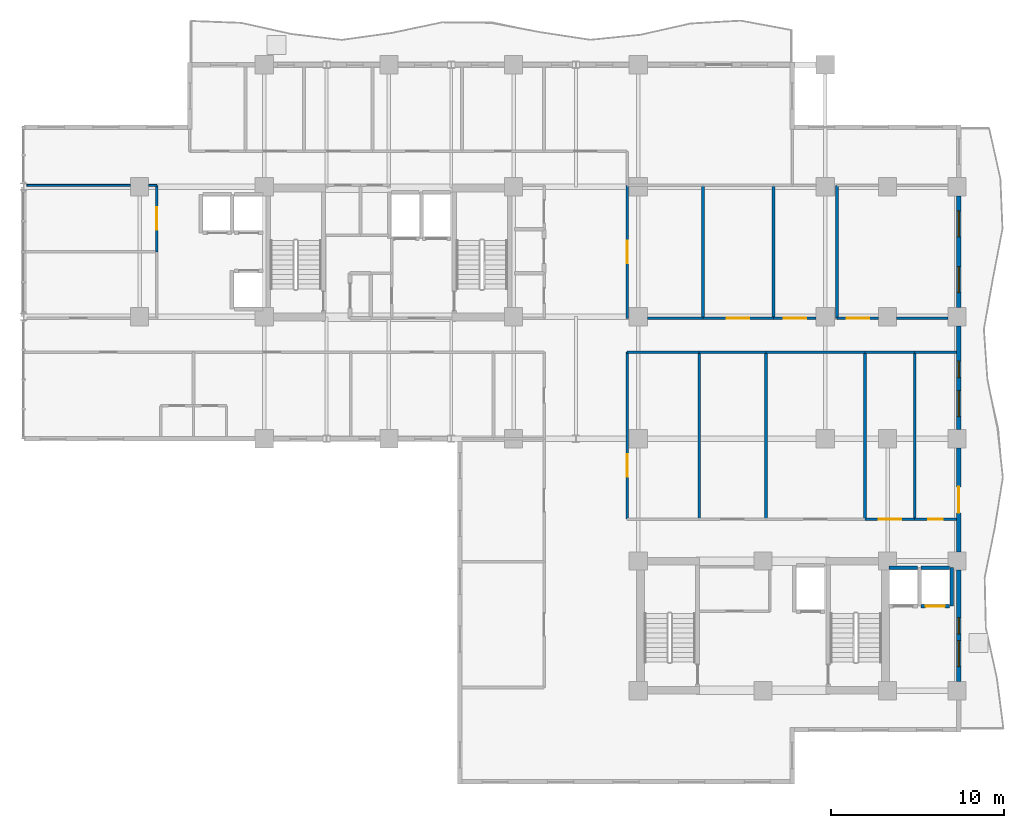
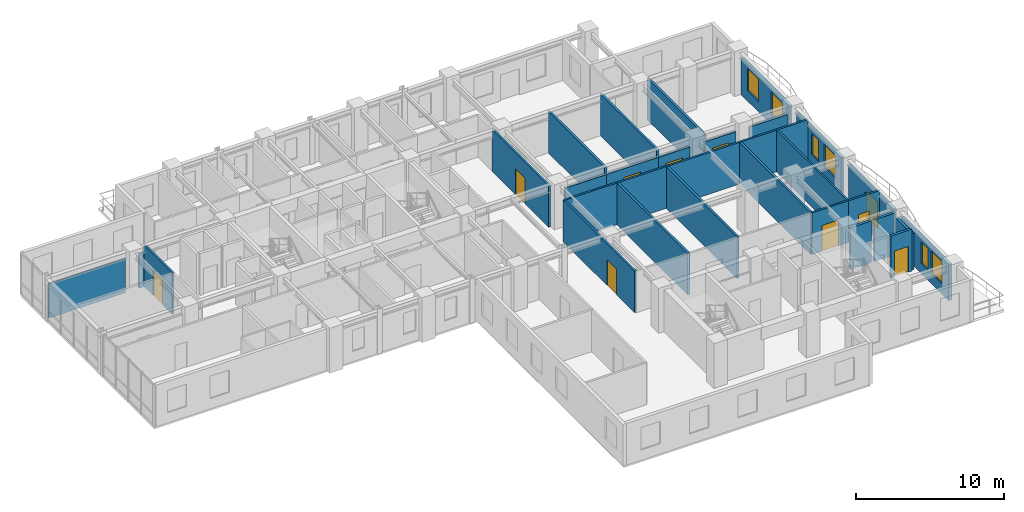
# One storey, part 12 of 18: 32 walls, 10 doors, 6 windows, 16 openings.
"""IFC4 building model written with IfcOpenShell, lengths in metres."""

from ifc_helpers import new_model, si_unit, direction, frame, frame_2d, origin, place, context, subcontext, project, spatial, rectangle, extrude, material, layer, layer_set, type_object, element, fill, save


model = new_model("IFC4")

# Units and contexts
model_context = context("Model", 3, precision=1e-05, world=origin(), true_north=direction((0.0, 1.0)))
body_context = subcontext(model_context, "Body", "Model", "MODEL_VIEW")
ifc_project = project(units=[si_unit("LENGTHUNIT", "METRE"), si_unit("AREAUNIT", "SQUARE_METRE"), si_unit("VOLUMEUNIT", "CUBIC_METRE"), si_unit("PLANEANGLEUNIT", "RADIAN"), si_unit("MASSUNIT", "GRAM", prefix="KILO")], contexts=[model_context])

# Site, building, storey
site_placement = place(None, origin())
site = spatial("IfcSite", under=ifc_project, at=site_placement, CompositionType="ELEMENT")
building_placement = place(site_placement, origin())
building = spatial("IfcBuilding", under=site, at=building_placement, Name="Kaliganga Portal Commons", CompositionType="ELEMENT")
storey_placement = place(building_placement, frame((0.0, 0.0, 169.800048828125)))
storey = spatial("IfcBuildingStorey", under=building, at=storey_placement, Name="L43", CompositionType="ELEMENT", Elevation=169.800048828125)

# Wall, openings, windows
ifc_material_1 = material(Name="Insulated Aluminium-Clad Spandrel Assembly", Category="aluminium")
ifc_layer_1 = layer(ifc_material_1, 0.260009765625)
ifc_layer_set_1 = layer_set([ifc_layer_1], Name="Insulated Aluminium-Clad Spandrel Assembly")
wall_type_1 = type_object("IfcWallType", Name="WL-EXT-SPAND-260", PredefinedType="STANDARD", material=ifc_layer_set_1)
wall_1_placement = place(storey_placement, frame((54.5, 14.02392578125, 0.0), z_axis=(0.0, 0.0, 1.0), x_axis=(0.0, -1.0, 0.0)))
wall_1 = element("IfcWall", 1, at=wall_1_placement, inside=storey, type_object=wall_type_1, Name="Exterior Envelope Wall L43 P1-E03-S2", PredefinedType="STANDARD", context=body_context, shape_type="SweptSolid", body=[
    extrude(rectangle(XDim=6.447998046875, YDim=0.260009765625, at=frame_2d((3.22412109375, 0.0))), origin(), (0.0, 0.0, 1.0), 2.989990234375),
])
opening_1_placement = place(wall_1_placement, frame((4.0859375, 0.0, 0.85009765625)))
opening_1 = element("IfcOpeningElement", 2, at=opening_1_placement, cuts=wall_1, Name="Opening W-02", PredefinedType="OPENING", context=body_context, shape_type="SweptSolid", body=[
    extrude(rectangle(XDim=1.5, YDim=1.85009765625, at=frame_2d((0.75, 0.925048828125))), frame((0.0, 0.14013671875, 0.0), z_axis=(0.0, -1.0, 0.0), x_axis=(1.0, 0.0, 0.0)), (0.0, 0.0, 1.0), 0.280029296875),
])
opening_2_placement = place(wall_1_placement, frame((2.7490234375, 0.0, 0.85009765625)))
opening_2 = element("IfcOpeningElement", 3, at=opening_2_placement, cuts=wall_1, Name="Opening W-04", PredefinedType="OPENING", context=body_context, shape_type="SweptSolid", body=[
    extrude(rectangle(XDim=0.949951171875, YDim=1.75, at=frame_2d((0.47509765625, 0.875))), frame((0.0, 0.14013671875, 0.0), z_axis=(0.0, -1.0, 0.0), x_axis=(1.0, 0.0, 0.0)), (0.0, 0.0, 1.0), 0.280029296875),
])
ifc_material_2 = material(Name="Thermally Broken Aluminium and Low-E Double Glazing", Category="aluminium")
window_type_1 = type_object("IfcWindowType", Name="WIN-NARROW-950", PartitioningType="SINGLE_PANEL", PredefinedType="WINDOW", material=ifc_material_2)
window_1_placement = place(opening_2_placement, origin())
window_1 = element("IfcWindow", 4, at=window_1_placement, inside=storey, type_object=window_type_1, Name="Facade Window L43-P1E03S2-N0", OverallHeight=1.75, OverallWidth=0.949951171875, PartitioningType="SINGLE_PANEL", PredefinedType="WINDOW", context=body_context, shape_type="SweptSolid", body=[
    extrude(rectangle(XDim=0.949951171875, YDim=1.75, at=frame_2d((0.47509765625, 0.875))), frame((0.0, 0.030029296875, 0.0), z_axis=(0.0, -1.0, 0.0), x_axis=(1.0, 0.0, 0.0)), (0.0, 0.0, 1.0), 0.06005859375),
])
fill(opening_2, window_1)
window_type_2 = type_object("IfcWindowType", Name="WIN-STD-1500", PartitioningType="DOUBLE_PANEL_VERTICAL", PredefinedType="WINDOW", material=ifc_material_2)
window_2_placement = place(opening_1_placement, origin())
window_2 = element("IfcWindow", 5, at=window_2_placement, inside=storey, type_object=window_type_2, Name="Facade Window L43-P1E03S2-01", OverallHeight=1.85009765625, OverallWidth=1.5, PartitioningType="SINGLE_PANEL", PredefinedType="WINDOW", context=body_context, shape_type="SweptSolid", body=[
    extrude(rectangle(XDim=1.5, YDim=1.85009765625, at=frame_2d((0.75, 0.925048828125))), frame((0.0, 0.030029296875, 0.0), z_axis=(0.0, -1.0, 0.0), x_axis=(1.0, 0.0, 0.0)), (0.0, 0.0, 1.0), 0.06005859375),
])
fill(opening_1, window_2)

# Wall, opening, door
wall_2_placement = place(storey_placement, frame((54.5, 21.073974609375, 0.0), z_axis=(0.0, 0.0, 1.0), x_axis=(0.0, -1.0, 0.0)))
wall_2 = element("IfcWall", 6, at=wall_2_placement, inside=storey, type_object=wall_type_1, Name="Exterior Envelope Wall L43 P1-E03-S3", PredefinedType="STANDARD", context=body_context, shape_type="SweptSolid", body=[
    extrude(rectangle(XDim=5.998046875, YDim=0.260009765625, at=frame_2d((2.9990234375, 0.0))), origin(), (0.0, 0.0, 1.0), 2.989990234375),
])
opening_3_placement = place(wall_2_placement, frame((2.2490234375, 0.0, 0.0)))
opening_3 = element("IfcOpeningElement", 7, at=opening_3_placement, cuts=wall_2, Name="Opening BD-01", PredefinedType="OPENING", context=body_context, shape_type="SweptSolid", body=[
    extrude(rectangle(XDim=1.5, YDim=2.14990234375, at=frame_2d((0.75, 1.074951171875))), frame((0.0, 0.14013671875, 0.0), z_axis=(0.0, -1.0, 0.0), x_axis=(1.0, 0.0, 0.0)), (0.0, 0.0, 1.0), 0.280029296875),
])
ifc_material_3 = material(Name="Anodized Aluminium and Laminated Safety Glass", Category="aluminium")
door_type_1 = type_object("IfcDoorType", Name="DR-BALC-1500", OperationType="SLIDING_TO_LEFT", PredefinedType="DOOR", material=ifc_material_3)
door_1_placement = place(opening_3_placement, origin())
door_1 = element("IfcDoor", 8, at=door_1_placement, inside=storey, type_object=door_type_1, Name="Balcony Sliding Door L43 balc_east", OperationType="SLIDING_TO_LEFT", OverallHeight=2.14990234375, OverallWidth=1.5, PredefinedType="DOOR", context=body_context, shape_type="SweptSolid", body=[
    extrude(rectangle(XDim=1.5, YDim=2.14990234375, at=frame_2d((0.75, 1.074951171875))), frame((0.0, 0.02490234375, 0.0), z_axis=(0.0, -1.0, 0.0), x_axis=(1.0, 0.0, 0.0)), (0.0, 0.0, 1.0), 0.050048828125),
])
fill(opening_3, door_1)

# Wall, openings, windows
wall_3_placement = place(storey_placement, frame((54.5, 28.1240234375, 0.0), z_axis=(0.0, 0.0, 1.0), x_axis=(0.0, -1.0, 0.0)))
wall_3 = element("IfcWall", 9, at=wall_3_placement, inside=storey, type_object=wall_type_1, Name="Exterior Envelope Wall L43 P1-E03-S4", PredefinedType="STANDARD", context=body_context, shape_type="SweptSolid", body=[
    extrude(rectangle(XDim=5.998046875, YDim=0.260009765625, at=frame_2d((2.9990234375, 0.0))), origin(), (0.0, 0.0, 1.0), 2.989990234375),
])
opening_4_placement = place(wall_3_placement, frame((3.74853515625, 0.0, 0.85009765625)))
opening_4 = element("IfcOpeningElement", 10, at=opening_4_placement, cuts=wall_3, Name="Opening W-02", PredefinedType="OPENING", context=body_context, shape_type="SweptSolid", body=[
    extrude(rectangle(XDim=1.5, YDim=1.85009765625, at=frame_2d((0.75, 0.925048828125))), frame((0.0, 0.14013671875, 0.0), z_axis=(0.0, -1.0, 0.0), x_axis=(1.0, 0.0, 0.0)), (0.0, 0.0, 1.0), 0.280029296875),
])
opening_5_placement = place(wall_3_placement, frame((2.044189453125, 0.0, 0.85009765625)))
opening_5 = element("IfcOpeningElement", 11, at=opening_5_placement, cuts=wall_3, Name="Opening W-04", PredefinedType="OPENING", context=body_context, shape_type="SweptSolid", body=[
    extrude(rectangle(XDim=0.949951171875, YDim=1.75, at=frame_2d((0.47509765625, 0.875))), frame((0.0, 0.14013671875, 0.0), z_axis=(0.0, -1.0, 0.0), x_axis=(1.0, 0.0, 0.0)), (0.0, 0.0, 1.0), 0.280029296875),
])
window_3_placement = place(opening_5_placement, origin())
window_3 = element("IfcWindow", 12, at=window_3_placement, inside=storey, type_object=window_type_1, Name="Facade Window L43-P1E03S4-N5", OverallHeight=1.75, OverallWidth=0.949951171875, PartitioningType="SINGLE_PANEL", PredefinedType="WINDOW", context=body_context, shape_type="SweptSolid", body=[
    extrude(rectangle(XDim=0.949951171875, YDim=1.75, at=frame_2d((0.47509765625, 0.875))), frame((0.0, 0.030029296875, 0.0), z_axis=(0.0, -1.0, 0.0), x_axis=(1.0, 0.0, 0.0)), (0.0, 0.0, 1.0), 0.06005859375),
])
fill(opening_5, window_3)
window_4_placement = place(opening_4_placement, origin())
window_4 = element("IfcWindow", 13, at=window_4_placement, inside=storey, type_object=window_type_2, Name="Facade Window L43-P1E03S4-01", OverallHeight=1.85009765625, OverallWidth=1.5, PartitioningType="SINGLE_PANEL", PredefinedType="WINDOW", context=body_context, shape_type="SweptSolid", body=[
    extrude(rectangle(XDim=1.5, YDim=1.85009765625, at=frame_2d((0.75, 0.925048828125))), frame((0.0, 0.030029296875, 0.0), z_axis=(0.0, -1.0, 0.0), x_axis=(1.0, 0.0, 0.0)), (0.0, 0.0, 1.0), 0.06005859375),
])
fill(opening_4, window_4)

wall_4_placement = place(storey_placement, frame((54.5, 35.6240234375, 0.0), z_axis=(0.0, 0.0, 1.0), x_axis=(0.0, -1.0, 0.0)))
wall_4 = element("IfcWall", 14, at=wall_4_placement, inside=storey, type_object=wall_type_1, Name="Exterior Envelope Wall L43 P1-E03-S5", PredefinedType="STANDARD", context=body_context, shape_type="SweptSolid", body=[
    extrude(rectangle(XDim=6.447998046875, YDim=0.260009765625, at=frame_2d((3.22412109375, 0.0))), origin(), (0.0, 0.0, 1.0), 2.989990234375),
])
opening_6_placement = place(wall_4_placement, frame((0.862060546875, 0.0, 0.85009765625)))
opening_6 = element("IfcOpeningElement", 15, at=opening_6_placement, cuts=wall_4, Name="Opening W-02", PredefinedType="OPENING", context=body_context, shape_type="SweptSolid", body=[
    extrude(rectangle(XDim=1.5, YDim=1.85009765625, at=frame_2d((0.75, 0.925048828125))), frame((0.0, 0.14013671875, 0.0), z_axis=(0.0, -1.0, 0.0), x_axis=(1.0, 0.0, 0.0)), (0.0, 0.0, 1.0), 0.280029296875),
])
opening_7_placement = place(wall_4_placement, frame((4.0859375, 0.0, 0.85009765625)))
opening_7 = element("IfcOpeningElement", 16, at=opening_7_placement, cuts=wall_4, Name="Opening W-02", PredefinedType="OPENING", context=body_context, shape_type="SweptSolid", body=[
    extrude(rectangle(XDim=1.5, YDim=1.85009765625, at=frame_2d((0.75, 0.925048828125))), frame((0.0, 0.14013671875, 0.0), z_axis=(0.0, -1.0, 0.0), x_axis=(1.0, 0.0, 0.0)), (0.0, 0.0, 1.0), 0.280029296875),
])
window_5_placement = place(opening_6_placement, origin())
window_5 = element("IfcWindow", 17, at=window_5_placement, inside=storey, type_object=window_type_2, Name="Facade Window L43-P1E03S5-00", OverallHeight=1.85009765625, OverallWidth=1.5, PartitioningType="SINGLE_PANEL", PredefinedType="WINDOW", context=body_context, shape_type="SweptSolid", body=[
    extrude(rectangle(XDim=1.5, YDim=1.85009765625, at=frame_2d((0.75, 0.925048828125))), frame((0.0, 0.030029296875, 0.0), z_axis=(0.0, -1.0, 0.0), x_axis=(1.0, 0.0, 0.0)), (0.0, 0.0, 1.0), 0.06005859375),
])
fill(opening_6, window_5)
window_6_placement = place(opening_7_placement, origin())
window_6 = element("IfcWindow", 18, at=window_6_placement, inside=storey, type_object=window_type_2, Name="Facade Window L43-P1E03S5-01", OverallHeight=1.85009765625, OverallWidth=1.5, PartitioningType="SINGLE_PANEL", PredefinedType="WINDOW", context=body_context, shape_type="SweptSolid", body=[
    extrude(rectangle(XDim=1.5, YDim=1.85009765625, at=frame_2d((0.75, 0.925048828125))), frame((0.0, 0.030029296875, 0.0), z_axis=(0.0, -1.0, 0.0), x_axis=(1.0, 0.0, 0.0)), (0.0, 0.0, 1.0), 0.06005859375),
])
fill(opening_7, window_6)

# Wall, opening, door
ifc_material_4 = material(Name="Fire-Rated Gypsum Board on Steel Stud", Category="steel")
ifc_layer_2 = layer(ifc_material_4, 0.14990234375)
ifc_layer_set_2 = layer_set([ifc_layer_2], Name="Fire-Rated Gypsum Board on Steel Stud")
wall_type_2 = type_object("IfcWallType", Name="WL-PART-CORR-150", PredefinedType="PARTITIONING", material=ifc_layer_set_2)
wall_5_placement = place(storey_placement, frame((35.360107421875, 16.9599609375, 0.0), z_axis=(0.0, 0.0, 1.0), x_axis=(0.0, 1.0, 0.0)))
wall_5 = element("IfcWall", 19, at=wall_5_placement, inside=storey, type_object=wall_type_2, Name="Interior Partition L43-007", PredefinedType="PARTITIONING", context=body_context, shape_type="SweptSolid", body=[
    extrude(rectangle(XDim=9.64013671875, YDim=0.14990234375, at=frame_2d((4.820068359375, 0.0))), origin(), (0.0, 0.0, 1.0), 3.43994140625),
])
opening_8_placement = place(wall_5_placement, frame((2.434814453125, 0.0, 0.0)))
opening_8 = element("IfcOpeningElement", 20, at=opening_8_placement, cuts=wall_5, Name="Opening RD-03", PredefinedType="OPENING", context=body_context, shape_type="SweptSolid", body=[
    extrude(rectangle(XDim=1.300048828125, YDim=2.1201171875, at=frame_2d((0.64990234375, 1.06005859375))), frame((0.0, 0.0849609375, 0.0), z_axis=(0.0, -1.0, 0.0), x_axis=(1.0, 0.0, 0.0)), (0.0, 0.0, 1.0), 0.169921875),
])
ifc_material_5 = material(Name="Glazed Timber Seminar Vision Door", Category="wood")
door_type_2 = type_object("IfcDoorType", Name="DR-STUDY-1300", OperationType="DOUBLE_DOOR_SINGLE_SWING", PredefinedType="DOOR", material=ifc_material_5)
door_2_placement = place(opening_8_placement, origin())
door_2 = element("IfcDoor", 21, at=door_2_placement, inside=storey, type_object=door_type_2, Name="Interior Door L43-BM01", OperationType="DOUBLE_DOOR_SINGLE_SWING", OverallHeight=2.1201171875, OverallWidth=1.300048828125, PredefinedType="DOOR", context=body_context, shape_type="SweptSolid", body=[
    extrude(rectangle(XDim=1.300048828125, YDim=2.1201171875, at=frame_2d((0.64990234375, 1.06005859375))), frame((0.0, 0.02490234375, 0.0), z_axis=(0.0, -1.0, 0.0), x_axis=(1.0, 0.0, 0.0)), (0.0, 0.0, 1.0), 0.050048828125),
])
fill(opening_8, door_2)

wall_6_placement = place(storey_placement, frame((35.360107421875, 28.56005859375, 0.0), z_axis=(0.0, 0.0, 1.0), x_axis=(0.0, 1.0, 0.0)))
wall_6 = element("IfcWall", 22, at=wall_6_placement, inside=storey, type_object=wall_type_2, Name="Interior Partition L43-012", PredefinedType="PARTITIONING", context=body_context, shape_type="SweptSolid", body=[
    extrude(rectangle(XDim=7.679931640625, YDim=0.14990234375, at=frame_2d((3.83984375, 0.0))), origin(), (0.0, 0.0, 1.0), 3.43994140625),
])
opening_9_placement = place(wall_6_placement, frame((3.18994140625, 0.0, 0.0)))
opening_9 = element("IfcOpeningElement", 23, at=opening_9_placement, cuts=wall_6, Name="Opening RD-03", PredefinedType="OPENING", context=body_context, shape_type="SweptSolid", body=[
    extrude(rectangle(XDim=1.300048828125, YDim=2.1201171875, at=frame_2d((0.64990234375, 1.06005859375))), frame((0.0, 0.0849609375, 0.0), z_axis=(0.0, -1.0, 0.0), x_axis=(1.0, 0.0, 0.0)), (0.0, 0.0, 1.0), 0.169921875),
])
door_3_placement = place(opening_9_placement, origin())
door_3 = element("IfcDoor", 24, at=door_3_placement, inside=storey, type_object=door_type_2, Name="Interior Door L43-BK01", OperationType="DOUBLE_DOOR_SINGLE_SWING", OverallHeight=2.1201171875, OverallWidth=1.300048828125, PredefinedType="DOOR", context=body_context, shape_type="SweptSolid", body=[
    extrude(rectangle(XDim=1.300048828125, YDim=2.1201171875, at=frame_2d((0.64990234375, 1.06005859375))), frame((0.0, 0.02490234375, 0.0), z_axis=(0.0, -1.0, 0.0), x_axis=(1.0, 0.0, 0.0)), (0.0, 0.0, 1.0), 0.050048828125),
])
fill(opening_9, door_3)

wall_7_placement = place(storey_placement, frame((47.47998046875, 28.56005859375, 0.0), z_axis=(0.0, 0.0, 1.0), x_axis=(1.0, 0.0, 0.0)))
wall_7 = element("IfcWall", 25, at=wall_7_placement, inside=storey, type_object=wall_type_2, Name="Interior Partition L43-015", PredefinedType="PARTITIONING", context=body_context, shape_type="SweptSolid", body=[
    extrude(rectangle(XDim=2.39501953125, YDim=0.14990234375, at=frame_2d((1.197509765625, 0.0))), origin(), (0.0, 0.0, 1.0), 2.83984375),
])
opening_10_placement = place(wall_7_placement, frame((0.547607421875, 0.0, 0.0)))
opening_10 = element("IfcOpeningElement", 26, at=opening_10_placement, cuts=wall_7, Name="Opening RD-03", PredefinedType="OPENING", context=body_context, shape_type="SweptSolid", body=[
    extrude(rectangle(XDim=1.300048828125, YDim=2.1201171875, at=frame_2d((0.64990234375, 1.06005859375))), frame((0.0, 0.0849609375, 0.0), z_axis=(0.0, -1.0, 0.0), x_axis=(1.0, 0.0, 0.0)), (0.0, 0.0, 1.0), 0.169921875),
])
door_4_placement = place(opening_10_placement, origin())
door_4 = element("IfcDoor", 27, at=door_4_placement, inside=storey, type_object=door_type_2, Name="Interior Door L43-BK04", OperationType="DOUBLE_DOOR_SINGLE_SWING", OverallHeight=2.1201171875, OverallWidth=1.300048828125, PredefinedType="DOOR", context=body_context, shape_type="SweptSolid", body=[
    extrude(rectangle(XDim=1.300048828125, YDim=2.1201171875, at=frame_2d((0.64990234375, 1.06005859375))), frame((0.0, 0.02490234375, 0.0), z_axis=(0.0, -1.0, 0.0), x_axis=(1.0, 0.0, 0.0)), (0.0, 0.0, 1.0), 0.050048828125),
])
fill(opening_10, door_4)

# Walls
wall_8_placement = place(storey_placement, frame((50.925048828125, 28.56005859375, 0.0), z_axis=(0.0, 0.0, 1.0), x_axis=(1.0, 0.0, 0.0)))
element("IfcWall", 28, at=wall_8_placement, inside=storey, type_object=wall_type_2, Name="Interior Partition L43-016", PredefinedType="PARTITIONING", context=body_context, shape_type="SweptSolid", body=[
    extrude(rectangle(XDim=2.949951171875, YDim=0.14990234375, at=frame_2d((1.47509765625, 0.0))), origin(), (0.0, 0.0, 1.0), 2.83984375),
])
wall_9_placement = place(storey_placement, frame((43.3798828125, 26.60009765625, 0.0), z_axis=(0.0, 0.0, 1.0), x_axis=(1.0, 0.0, 0.0)))
element("IfcWall", 29, at=wall_9_placement, inside=storey, type_object=wall_type_2, Name="Interior Partition L43-018", PredefinedType="PARTITIONING", context=body_context, shape_type="SweptSolid", body=[
    extrude(rectangle(XDim=5.72021484375, YDim=0.14990234375, at=frame_2d((2.860107421875, 0.0))), origin(), (0.0, 0.0, 1.0), 3.43994140625),
])
wall_10_placement = place(storey_placement, frame((36.52490234375, 28.56005859375, 0.0), z_axis=(0.0, 0.0, 1.0), x_axis=(1.0, 0.0, 0.0)))
element("IfcWall", 30, at=wall_10_placement, inside=storey, type_object=wall_type_2, Name="Interior Partition L43-024", PredefinedType="PARTITIONING", context=body_context, shape_type="SweptSolid", body=[
    extrude(rectangle(XDim=3.215087890625, YDim=0.14990234375, at=frame_2d((1.607421875, 0.0))), origin(), (0.0, 0.0, 1.0), 2.83984375),
])
wall_11_placement = place(storey_placement, frame((35.360107421875, 26.60009765625, 0.0), z_axis=(0.0, 0.0, 1.0), x_axis=(1.0, 0.0, 0.0)))
element("IfcWall", 31, at=wall_11_placement, inside=storey, type_object=wall_type_2, Name="Interior Partition L43-026", PredefinedType="PARTITIONING", context=body_context, shape_type="SweptSolid", body=[
    extrude(rectangle(XDim=4.159912109375, YDim=0.14990234375, at=frame_2d((2.080078125, 0.0))), origin(), (0.0, 0.0, 1.0), 3.43994140625),
])

# Wall, opening, door
wall_12_placement = place(storey_placement, frame((39.739990234375, 28.56005859375, 0.0), z_axis=(0.0, 0.0, 1.0), x_axis=(1.0, 0.0, 0.0)))
wall_12 = element("IfcWall", 32, at=wall_12_placement, inside=storey, type_object=wall_type_2, Name="Interior Partition L43-028", PredefinedType="PARTITIONING", context=body_context, shape_type="SweptSolid", body=[
    extrude(rectangle(XDim=4.06005859375, YDim=0.14990234375, at=frame_2d((2.030029296875, 0.0))), origin(), (0.0, 0.0, 1.0), 2.83984375),
])
opening_11_placement = place(wall_12_placement, frame((1.3798828125, 0.0, 0.0)))
opening_11 = element("IfcOpeningElement", 33, at=opening_11_placement, cuts=wall_12, Name="Opening RD-03", PredefinedType="OPENING", context=body_context, shape_type="SweptSolid", body=[
    extrude(rectangle(XDim=1.300048828125, YDim=2.1201171875, at=frame_2d((0.64990234375, 1.06005859375))), frame((0.0, 0.0849609375, 0.0), z_axis=(0.0, -1.0, 0.0), x_axis=(1.0, 0.0, 0.0)), (0.0, 0.0, 1.0), 0.169921875),
])
door_5_placement = place(opening_11_placement, origin())
door_5 = element("IfcDoor", 34, at=door_5_placement, inside=storey, type_object=door_type_2, Name="Interior Door L43-BK02", OperationType="DOUBLE_DOOR_SINGLE_SWING", OverallHeight=2.1201171875, OverallWidth=1.300048828125, PredefinedType="DOOR", context=body_context, shape_type="SweptSolid", body=[
    extrude(rectangle(XDim=1.300048828125, YDim=2.1201171875, at=frame_2d((0.64990234375, 1.06005859375))), frame((0.0, 0.02490234375, 0.0), z_axis=(0.0, -1.0, 0.0), x_axis=(1.0, 0.0, 0.0)), (0.0, 0.0, 1.0), 0.050048828125),
])
fill(opening_11, door_5)

# Wall
wall_13_placement = place(storey_placement, frame((39.52001953125, 26.60009765625, 0.0), z_axis=(0.0, 0.0, 1.0), x_axis=(1.0, 0.0, 0.0)))
element("IfcWall", 35, at=wall_13_placement, inside=storey, type_object=wall_type_2, Name="Interior Partition L43-031", PredefinedType="PARTITIONING", context=body_context, shape_type="SweptSolid", body=[
    extrude(rectangle(XDim=3.85986328125, YDim=0.14990234375, at=frame_2d((1.929931640625, 0.0))), origin(), (0.0, 0.0, 1.0), 3.43994140625),
])

# Wall, opening, door
wall_14_placement = place(storey_placement, frame((8.199951171875, 32.39990234375, 0.0), z_axis=(0.0, 0.0, 1.0), x_axis=(0.0, 1.0, 0.0)))
wall_14 = element("IfcWall", 36, at=wall_14_placement, inside=storey, type_object=wall_type_2, Name="Interior Partition L43-032", PredefinedType="PARTITIONING", context=body_context, shape_type="SweptSolid", body=[
    extrude(rectangle(XDim=3.840087890625, YDim=0.14990234375, at=frame_2d((1.919921875, 0.0))), origin(), (0.0, 0.0, 1.0), 3.43994140625),
])
opening_12_placement = place(wall_14_placement, frame((1.27001953125, 0.0, 0.0)))
opening_12 = element("IfcOpeningElement", 37, at=opening_12_placement, cuts=wall_14, Name="Opening RD-03", PredefinedType="OPENING", context=body_context, shape_type="SweptSolid", body=[
    extrude(rectangle(XDim=1.300048828125, YDim=2.1201171875, at=frame_2d((0.64990234375, 1.06005859375))), frame((0.0, 0.0849609375, 0.0), z_axis=(0.0, -1.0, 0.0), x_axis=(1.0, 0.0, 0.0)), (0.0, 0.0, 1.0), 0.169921875),
])
door_6_placement = place(opening_12_placement, origin())
door_6 = element("IfcDoor", 38, at=door_6_placement, inside=storey, type_object=door_type_2, Name="Interior Door L43-AW02", OperationType="DOUBLE_DOOR_SINGLE_SWING", OverallHeight=2.1201171875, OverallWidth=1.300048828125, PredefinedType="DOOR", context=body_context, shape_type="SweptSolid", body=[
    extrude(rectangle(XDim=1.300048828125, YDim=2.1201171875, at=frame_2d((0.64990234375, 1.06005859375))), frame((0.0, 0.02490234375, 0.0), z_axis=(0.0, -1.0, 0.0), x_axis=(1.0, 0.0, 0.0)), (0.0, 0.0, 1.0), 0.050048828125),
])
fill(opening_12, door_6)

wall_15_placement = place(storey_placement, frame((43.800048828125, 28.56005859375, 0.0), z_axis=(0.0, 0.0, 1.0), x_axis=(1.0, 0.0, 0.0)))
wall_15 = element("IfcWall", 39, at=wall_15_placement, inside=storey, type_object=wall_type_2, Name="Interior Partition L43-034", PredefinedType="PARTITIONING", context=body_context, shape_type="SweptSolid", body=[
    extrude(rectangle(XDim=2.474853515625, YDim=0.14990234375, at=frame_2d((1.2373046875, 0.0))), origin(), (0.0, 0.0, 1.0), 2.83984375),
])
opening_13_placement = place(wall_15_placement, frame((0.58740234375, 0.0, 0.0)))
opening_13 = element("IfcOpeningElement", 40, at=opening_13_placement, cuts=wall_15, Name="Opening RD-03", PredefinedType="OPENING", context=body_context, shape_type="SweptSolid", body=[
    extrude(rectangle(XDim=1.300048828125, YDim=2.1201171875, at=frame_2d((0.64990234375, 1.06005859375))), frame((0.0, 0.0849609375, 0.0), z_axis=(0.0, -1.0, 0.0), x_axis=(1.0, 0.0, 0.0)), (0.0, 0.0, 1.0), 0.169921875),
])
door_7_placement = place(opening_13_placement, origin())
door_7 = element("IfcDoor", 41, at=door_7_placement, inside=storey, type_object=door_type_2, Name="Interior Door L43-BK03", OperationType="DOUBLE_DOOR_SINGLE_SWING", OverallHeight=2.1201171875, OverallWidth=1.300048828125, PredefinedType="DOOR", context=body_context, shape_type="SweptSolid", body=[
    extrude(rectangle(XDim=1.300048828125, YDim=2.1201171875, at=frame_2d((0.64990234375, 1.06005859375))), frame((0.0, 0.02490234375, 0.0), z_axis=(0.0, -1.0, 0.0), x_axis=(1.0, 0.0, 0.0)), (0.0, 0.0, 1.0), 0.050048828125),
])
fill(opening_13, door_7)

wall_16_placement = place(storey_placement, frame((49.10009765625, 16.9599609375, 0.0), z_axis=(0.0, 0.0, 1.0), x_axis=(1.0, 0.0, 0.0)))
wall_16 = element("IfcWall", 42, at=wall_16_placement, inside=storey, type_object=wall_type_2, Name="Interior Partition L43-038", PredefinedType="PARTITIONING", context=body_context, shape_type="SweptSolid", body=[
    extrude(rectangle(XDim=2.85986328125, YDim=0.14990234375, at=frame_2d((1.429931640625, 0.0))), origin(), (0.0, 0.0, 1.0), 3.43994140625),
])
opening_14_placement = place(wall_16_placement, frame((0.780029296875, 0.0, 0.0)))
opening_14 = element("IfcOpeningElement", 43, at=opening_14_placement, cuts=wall_16, Name="Opening RD-03", PredefinedType="OPENING", context=body_context, shape_type="SweptSolid", body=[
    extrude(rectangle(XDim=1.300048828125, YDim=2.1201171875, at=frame_2d((0.64990234375, 1.06005859375))), frame((0.0, 0.0849609375, 0.0), z_axis=(0.0, -1.0, 0.0), x_axis=(1.0, 0.0, 0.0)), (0.0, 0.0, 1.0), 0.169921875),
])
door_8_placement = place(opening_14_placement, origin())
door_8 = element("IfcDoor", 44, at=door_8_placement, inside=storey, type_object=door_type_2, Name="Interior Door L43-BM04", OperationType="DOUBLE_DOOR_SINGLE_SWING", OverallHeight=2.1201171875, OverallWidth=1.300048828125, PredefinedType="DOOR", context=body_context, shape_type="SweptSolid", body=[
    extrude(rectangle(XDim=1.300048828125, YDim=2.1201171875, at=frame_2d((0.64990234375, 1.06005859375))), frame((0.0, 0.02490234375, 0.0), z_axis=(0.0, -1.0, 0.0), x_axis=(1.0, 0.0, 0.0)), (0.0, 0.0, 1.0), 0.050048828125),
])
fill(opening_14, door_8)

# Wall
wall_17_placement = place(storey_placement, frame((49.10009765625, 26.60009765625, 0.0), z_axis=(0.0, 0.0, 1.0), x_axis=(1.0, 0.0, 0.0)))
element("IfcWall", 45, at=wall_17_placement, inside=storey, type_object=wall_type_2, Name="Interior Partition L43-039", PredefinedType="PARTITIONING", context=body_context, shape_type="SweptSolid", body=[
    extrude(rectangle(XDim=2.85986328125, YDim=0.14990234375, at=frame_2d((1.429931640625, 0.0))), origin(), (0.0, 0.0, 1.0), 3.43994140625),
])

# Wall, opening, door
wall_18_placement = place(storey_placement, frame((51.9599609375, 16.9599609375, 0.0), z_axis=(0.0, 0.0, 1.0), x_axis=(1.0, 0.0, 0.0)))
wall_18 = element("IfcWall", 46, at=wall_18_placement, inside=storey, type_object=wall_type_2, Name="Interior Partition L43-044", PredefinedType="PARTITIONING", context=body_context, shape_type="SweptSolid", body=[
    extrude(rectangle(XDim=2.407958984375, YDim=0.14990234375, at=frame_2d((1.2041015625, 0.0))), origin(), (0.0, 0.0, 1.0), 3.43994140625),
])
opening_15_placement = place(wall_18_placement, frame((0.779052734375, 0.0, 0.0)))
opening_15 = element("IfcOpeningElement", 47, at=opening_15_placement, cuts=wall_18, Name="Opening WD-01", PredefinedType="OPENING", context=body_context, shape_type="SweptSolid", body=[
    extrude(rectangle(XDim=0.85009765625, YDim=2.0400390625, at=frame_2d((0.425048828125, 1.02001953125))), frame((0.0, 0.0849609375, 0.0), z_axis=(0.0, -1.0, 0.0), x_axis=(1.0, 0.0, 0.0)), (0.0, 0.0, 1.0), 0.169921875),
])
ifc_material_6 = material(Name="Moisture-Resistant Laminate Timber Door", Category="wood")
door_type_3 = type_object("IfcDoorType", Name="DR-WET-850", OperationType="NOTDEFINED", PredefinedType="DOOR", material=ifc_material_6)
door_9_placement = place(opening_15_placement, origin())
door_9 = element("IfcDoor", 48, at=door_9_placement, inside=storey, type_object=door_type_3, Name="Interior Door L43-BM05", OperationType="SINGLE_SWING_RIGHT", OverallHeight=2.0400390625, OverallWidth=0.85009765625, PredefinedType="DOOR", context=body_context, shape_type="SweptSolid", body=[
    extrude(rectangle(XDim=0.85009765625, YDim=2.0400390625, at=frame_2d((0.425048828125, 1.02001953125))), frame((0.0, 0.02490234375, 0.0), z_axis=(0.0, -1.0, 0.0), x_axis=(1.0, 0.0, 0.0)), (0.0, 0.0, 1.0), 0.050048828125),
])
fill(opening_15, door_9)

# Walls
wall_19_placement = place(storey_placement, frame((51.9599609375, 26.60009765625, 0.0), z_axis=(0.0, 0.0, 1.0), x_axis=(1.0, 0.0, 0.0)))
element("IfcWall", 49, at=wall_19_placement, inside=storey, type_object=wall_type_2, Name="Interior Partition L43-045", PredefinedType="PARTITIONING", context=body_context, shape_type="SweptSolid", body=[
    extrude(rectangle(XDim=2.407958984375, YDim=0.14990234375, at=frame_2d((1.2041015625, 0.0))), origin(), (0.0, 0.0, 1.0), 3.43994140625),
])
ifc_material_7 = material(Name="Moisture-Resistant Gypsum Partition", Category="gypsum")
ifc_layer_3 = layer(ifc_material_7, 0.114990234375)
ifc_layer_set_3 = layer_set([ifc_layer_3], Name="Moisture-Resistant Gypsum Partition")
wall_type_3 = type_object("IfcWallType", Name="WL-PART-ROOM-115", PredefinedType="PARTITIONING", material=ifc_layer_set_3)
wall_20_placement = place(storey_placement, frame((0.701904296875, 36.239990234375, 0.0), z_axis=(0.0, 0.0, 1.0), x_axis=(1.0, 0.0, 0.0)))
element("IfcWall", 50, at=wall_20_placement, inside=storey, type_object=wall_type_3, Name="Interior Partition L43-063", PredefinedType="PARTITIONING", context=body_context, shape_type="SweptSolid", body=[
    extrude(rectangle(XDim=5.97314453125, YDim=0.114990234375, at=frame_2d((2.986572265625, 0.0))), origin(), (0.0, 0.0, 1.0), 2.83984375),
])
wall_21_placement = place(storey_placement, frame((7.72509765625, 36.239990234375, 0.0), z_axis=(0.0, 0.0, 1.0), x_axis=(1.0, 0.0, 0.0)))
element("IfcWall", 51, at=wall_21_placement, inside=storey, type_object=wall_type_3, Name="Interior Partition L43-064", PredefinedType="PARTITIONING", context=body_context, shape_type="SweptSolid", body=[
    extrude(rectangle(XDim=0.474853515625, YDim=0.114990234375, at=frame_2d((0.2373046875, 0.0))), origin(), (0.0, 0.0, 1.0), 2.83984375),
])
ifc_material_8 = material(Name="Twin-Stud Acoustic Gypsum Partition", Category="gypsum")
ifc_layer_4 = layer(ifc_material_8, 0.1650390625)
ifc_layer_set_4 = layer_set([ifc_layer_4], Name="Twin-Stud Acoustic Gypsum Partition")
wall_type_4 = type_object("IfcWallType", Name="WL-PART-UNIT-165", PredefinedType="PARTITIONING", material=ifc_layer_set_4)
for number, where, z_axis, x_axis, name in (
    (52, (39.52001953125, 16.9599609375, 0.0), (0.0, 0.0, 1.0), (0.0, 1.0, 0.0), "Interior Partition L43-058"),
    (53, (43.3798828125, 16.9599609375, 0.0), (0.0, 0.0, 1.0), (0.0, 1.0, 0.0), "Interior Partition L43-059"),
    (54, (49.10009765625, 16.9599609375, 0.0), (0.0, 0.0, 1.0), (0.0, 1.0, 0.0), "Interior Partition L43-060"),
):
    element("IfcWall", number, at=place(storey_placement, frame(where, z_axis=z_axis, x_axis=x_axis)), inside=storey, type_object=wall_type_4, Name=name, PredefinedType="PARTITIONING", context=body_context, shape_type="SweptSolid", body=[
        extrude(rectangle(XDim=9.64013671875, YDim=0.1650390625, at=frame_2d((4.820068359375, 0.0))), origin(), (0.0, 0.0, 1.0), 3.43994140625),
    ])
for number, where, z_axis, x_axis, name in (
    (55, (39.739990234375, 28.56005859375, 0.0), (0.0, 0.0, 1.0), (0.0, 1.0, 0.0), "Interior Partition L43-065"),
    (56, (43.800048828125, 28.56005859375, 0.0), (0.0, 0.0, 1.0), (0.0, 1.0, 0.0), "Interior Partition L43-066"),
    (57, (47.47998046875, 28.56005859375, 0.0), (0.0, 0.0, 1.0), (0.0, 1.0, 0.0), "Interior Partition L43-067"),
):
    element("IfcWall", number, at=place(storey_placement, frame(where, z_axis=z_axis, x_axis=x_axis)), inside=storey, type_object=wall_type_4, Name=name, PredefinedType="PARTITIONING", context=body_context, shape_type="SweptSolid", body=[
        extrude(rectangle(XDim=7.679931640625, YDim=0.1650390625, at=frame_2d((3.83984375, 0.0))), origin(), (0.0, 0.0, 1.0), 3.43994140625),
    ])
ifc_material_9 = material(Name="Cement-Board Wet-Room Partition", Category="gypsum")
ifc_layer_5 = layer(ifc_material_9, 0.135009765625)
ifc_layer_set_5 = layer_set([ifc_layer_5], Name="Cement-Board Wet-Room Partition")
wall_type_5 = type_object("IfcWallType", Name="WL-PART-WET-135", PredefinedType="PARTITIONING", material=ifc_layer_set_5)
wall_22_placement = place(storey_placement, frame((51.9599609375, 16.9599609375, 0.0), z_axis=(0.0, 0.0, 1.0), x_axis=(0.0, 1.0, 0.0)))
element("IfcWall", 58, at=wall_22_placement, inside=storey, type_object=wall_type_5, Name="Interior Partition L43-061", PredefinedType="PARTITIONING", context=body_context, shape_type="SweptSolid", body=[
    extrude(rectangle(XDim=9.64013671875, YDim=0.135009765625, at=frame_2d((4.820068359375, 0.0))), origin(), (0.0, 0.0, 1.0), 3.43994140625),
])
ifc_material_10 = material(Name="Fire-Rated Shaftwall Masonry Assembly", Category="masonry")
ifc_layer_6 = layer(ifc_material_10, 0.199951171875)
ifc_layer_set_6 = layer_set([ifc_layer_6], Name="Fire-Rated Shaftwall Masonry Assembly")
wall_type_6 = type_object("IfcWallType", Name="WL-SHAFT-200", PredefinedType="PARTITIONING", material=ifc_layer_set_6)
wall_23_placement = place(storey_placement, frame((50.47509765625, 14.1650390625, 0.0), z_axis=(0.0, 0.0, 1.0), x_axis=(1.0, 0.0, 0.0)))
element("IfcWall", 59, at=wall_23_placement, inside=storey, type_object=wall_type_6, Name="Lift PL-B3 Hoistway Shaft Wall L43-N", PredefinedType="PARTITIONING", context=body_context, shape_type="SweptSolid", body=[
    extrude(rectangle(XDim=1.64990234375, YDim=0.199951171875, at=frame_2d((0.824951171875, 0.0))), origin(), (0.0, 0.0, 1.0), 3.43994140625),
])

# Wall, opening, door
wall_24_placement = place(storey_placement, frame((52.324951171875, 11.93505859375, 0.0), z_axis=(0.0, 0.0, 1.0), x_axis=(1.0, 0.0, 0.0)))
wall_24 = element("IfcWall", 60, at=wall_24_placement, inside=storey, type_object=wall_type_6, Name="Lift PL-B4 Hoistway Shaft Wall L43-S", PredefinedType="PARTITIONING", context=body_context, shape_type="SweptSolid", body=[
    extrude(rectangle(XDim=1.650146484375, YDim=0.199951171875, at=frame_2d((0.8251953125, 0.0))), origin(), (0.0, 0.0, 1.0), 3.43994140625),
])
opening_16_placement = place(wall_24_placement, frame((0.27490234375, 0.0, 0.0)))
opening_16 = element("IfcOpeningElement", 61, at=opening_16_placement, cuts=wall_24, Name="Opening LD-01", PredefinedType="OPENING", context=body_context, shape_type="SweptSolid", body=[
    extrude(rectangle(XDim=1.10009765625, YDim=2.1201171875, at=frame_2d((0.550048828125, 1.06005859375))), frame((0.0, 0.10986328125, 0.0), z_axis=(0.0, -1.0, 0.0), x_axis=(1.0, 0.0, 0.0)), (0.0, 0.0, 1.0), 0.219970703125),
])
ifc_material_11 = material(Name="Brushed Stainless Steel 316 Lift Landing Door", Category="steel")
door_type_4 = type_object("IfcDoorType", Name="DR-LIFT-1100", OperationType="SLIDING_TO_LEFT", PredefinedType="DOOR", material=ifc_material_11)
door_10_placement = place(opening_16_placement, origin())
door_10 = element("IfcDoor", 62, at=door_10_placement, inside=storey, type_object=door_type_4, Name="Lift PL-B4 Sliding Landing Door L43", OperationType="SLIDING_TO_LEFT", OverallHeight=2.1201171875, OverallWidth=1.10009765625, PredefinedType="DOOR", context=body_context, shape_type="SweptSolid", body=[
    extrude(rectangle(XDim=1.10009765625, YDim=2.1201171875, at=frame_2d((0.550048828125, 1.06005859375))), frame((0.0, 0.02490234375, 0.0), z_axis=(0.0, -1.0, 0.0), x_axis=(1.0, 0.0, 0.0)), (0.0, 0.0, 1.0), 0.050048828125),
])
fill(opening_16, door_10)

# Walls
wall_25_placement = place(storey_placement, frame((52.324951171875, 14.1650390625, 0.0), z_axis=(0.0, 0.0, 1.0), x_axis=(1.0, 0.0, 0.0)))
element("IfcWall", 63, at=wall_25_placement, inside=storey, type_object=wall_type_6, Name="Lift PL-B4 Hoistway Shaft Wall L43-N", PredefinedType="PARTITIONING", context=body_context, shape_type="SweptSolid", body=[
    extrude(rectangle(XDim=1.650146484375, YDim=0.199951171875, at=frame_2d((0.8251953125, 0.0))), origin(), (0.0, 0.0, 1.0), 3.43994140625),
])
wall_26_placement = place(storey_placement, frame((54.114990234375, 11.93505859375, 0.0), z_axis=(0.0, 0.0, 1.0), x_axis=(0.0, 1.0, 0.0)))
element("IfcWall", 64, at=wall_26_placement, inside=storey, type_object=wall_type_6, Name="Lift PL-B4 Hoistway Shaft Wall L43-E", PredefinedType="PARTITIONING", context=body_context, shape_type="SweptSolid", body=[
    extrude(rectangle(XDim=2.22998046875, YDim=0.199951171875, at=frame_2d((1.114990234375, 0.0))), origin(), (0.0, 0.0, 1.0), 2.989990234375),
])

save(model, "model.ifc")
